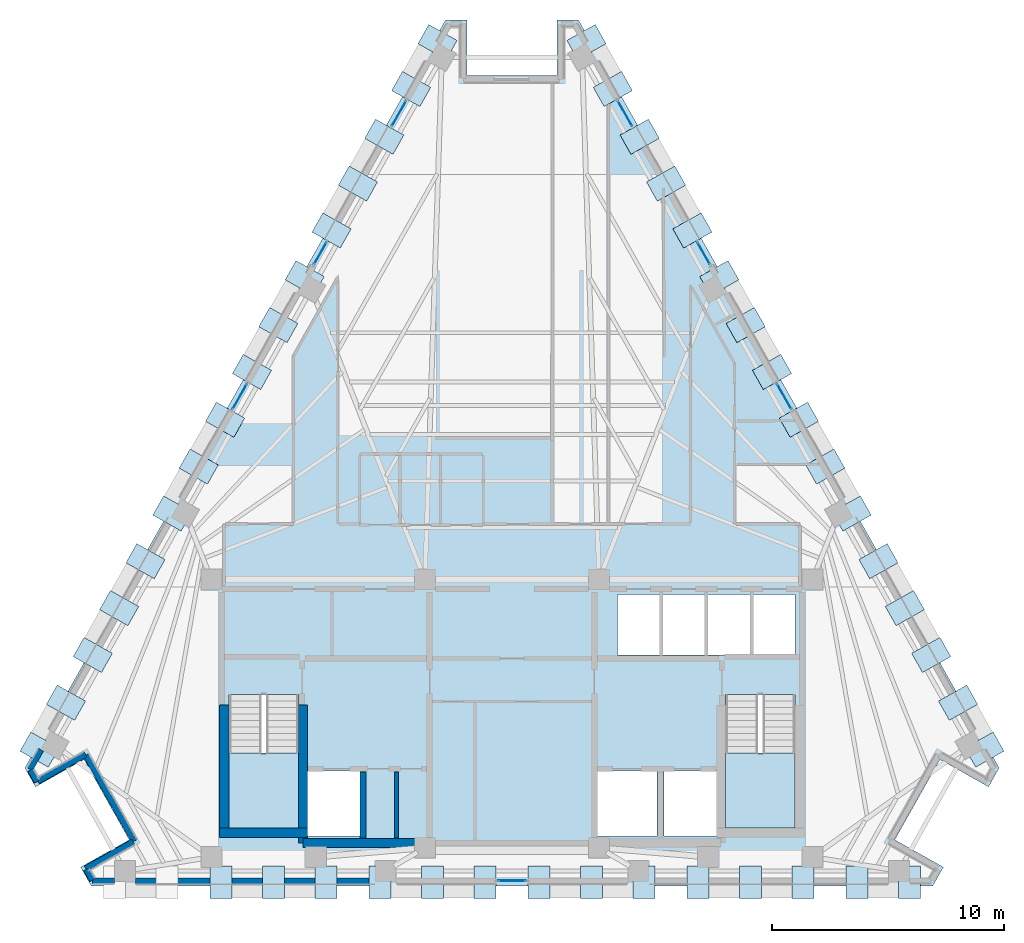
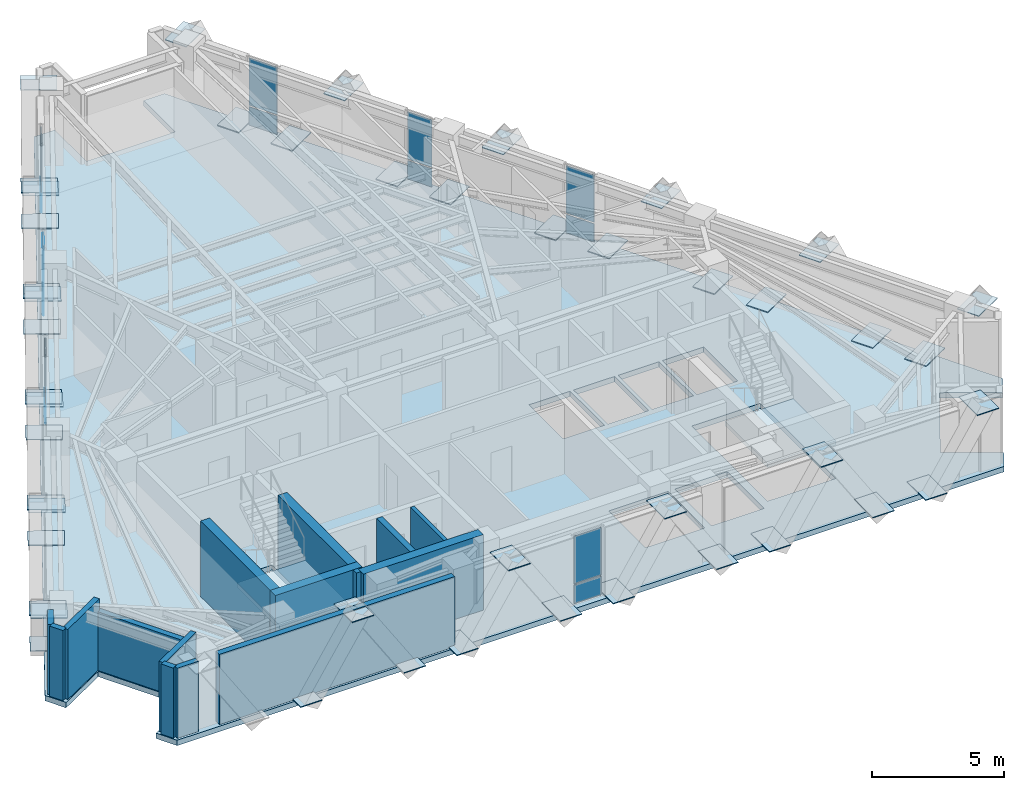
# One storey, part 6 of 13: 60 plates, 14 walls, 3 slabs, 9 elements without a shape of their own.
"""IFC4 building model written with IfcOpenShell, lengths in metres."""

from ifc_helpers import new_model, si_unit, direction, frame, frame_2d, origin, origin_2d, place, context, subcontext, project, spatial, polyline, rectangle, outline, extrude, material, layer, layer_set, type_object, element, aggregate, save


model = new_model("IFC4")

# Units and contexts
model_context = context("Model", 3, precision=1e-05, world=origin(), true_north=direction((0.0, 1.0)))
body_context = subcontext(model_context, "Body", "Model", "MODEL_VIEW")
ifc_project = project(units=[si_unit("LENGTHUNIT", "METRE"), si_unit("AREAUNIT", "SQUARE_METRE"), si_unit("VOLUMEUNIT", "CUBIC_METRE"), si_unit("PLANEANGLEUNIT", "RADIAN"), si_unit("MASSUNIT", "GRAM", prefix="KILO")], contexts=[model_context])

# Site, building, storey
site_placement = place(None, origin())
site = spatial("IfcSite", under=ifc_project, at=site_placement, CompositionType="ELEMENT")
building_placement = place(site_placement, origin())
building = spatial("IfcBuilding", under=site, at=building_placement, Name="Quenlor Broadcast Tower", CompositionType="ELEMENT")
storey_placement = place(building_placement, frame((0.0, 0.0, 207.89990234375)))
storey = spatial("IfcBuildingStorey", under=building, at=storey_placement, Name="L57", CompositionType="ELEMENT", Elevation=207.89990234375)

# Curtain wall, plates
ifc_material_1 = material(Name="Architectural Terracotta and Low-E Glazing", Category="masonry")
curtain_wall_type = type_object("IfcCurtainWallType", Name="Unitised Terracotta Curtain Wall System Z4", PredefinedType="NOTDEFINED", material=ifc_material_1)
curtain_wall_1_placement = place(storey_placement, origin())
curtain_wall_1 = element("IfcCurtainWall", 1, at=curtain_wall_1_placement, inside=storey, type_object=curtain_wall_type, Name="L57 Curtain Wall CW4 (L57-S-G1)", PredefinedType="NOTDEFINED")
ifc_material_2 = material(Name="Double Glazed Low-E Solar Glass", Category="glass")
ifc_layer_1 = layer(ifc_material_2, 0.028076171875)
ifc_layer_set_1 = layer_set([ifc_layer_1], Name="CW4 Double Glazed Vision Panel 28")
plate_type_1 = type_object("IfcPlateType", Name="CW4 Double Glazed Vision Panel 28", PredefinedType="CURTAIN_PANEL", material=ifc_layer_set_1)
plate_1_placement = place(storey_placement, frame((0.0, -17.77490234375, 0.068359375), z_axis=(0.0, 0.0, 1.0), x_axis=(-1.0, 0.0, 0.0)))
plate_1 = element("IfcPlate", 2, at=plate_1_placement, type_object=plate_type_1, Name="CW4 panel 1.1", PredefinedType="CURTAIN_PANEL", context=body_context, shape_type="SweptSolid", body=[
    extrude(rectangle(XDim=1.188720703125, YDim=0.028076171875, at=origin_2d()), origin(), (0.0, 0.0, 1.0), 0.847900390625),
])
plate_2_placement = place(storey_placement, frame((0.0, -17.77490234375, 0.98388671875), z_axis=(0.0, 0.0, 1.0), x_axis=(-1.0, 0.0, 0.0)))
plate_2 = element("IfcPlate", 3, at=plate_2_placement, type_object=plate_type_1, Name="CW4 panel 1.2", PredefinedType="CURTAIN_PANEL", context=body_context, shape_type="SweptSolid", body=[
    extrude(rectangle(XDim=1.188720703125, YDim=0.028076171875, at=origin_2d()), origin(), (0.0, 0.0, 1.0), 2.197998046875),
])
aggregate(curtain_wall_1, [plate_1, plate_2])

curtain_wall_2_placement = place(storey_placement, origin())
curtain_wall_2 = element("IfcCurtainWall", 4, at=curtain_wall_2_placement, inside=storey, type_object=curtain_wall_type, Name="L57 Curtain Wall CW4 (L57-NEA-G1)", PredefinedType="NOTDEFINED")
plate_3_placement = place(storey_placement, frame((4.87060546875, 15.281982421875, 0.068359375), z_axis=(0.0, 0.0, 1.0), x_axis=(0.490288844266, -0.871560008943, 0.0)))
plate_3 = element("IfcPlate", 5, at=plate_3_placement, type_object=plate_type_1, Name="CW4 panel 1.1", PredefinedType="CURTAIN_PANEL", context=body_context, shape_type="SweptSolid", body=[
    extrude(rectangle(XDim=1.239990234375, YDim=0.028076171875, at=origin_2d()), origin(), (0.0, 0.0, 1.0), 0.847900390625),
])
plate_4_placement = place(storey_placement, frame((4.87060546875, 15.281982421875, 0.98388671875), z_axis=(0.0, 0.0, 1.0), x_axis=(0.490288844266, -0.871560008943, 0.0)))
plate_4 = element("IfcPlate", 6, at=plate_4_placement, type_object=plate_type_1, Name="CW4 panel 1.2", PredefinedType="CURTAIN_PANEL", context=body_context, shape_type="SweptSolid", body=[
    extrude(rectangle(XDim=1.239990234375, YDim=0.028076171875, at=origin_2d()), origin(), (0.0, 0.0, 1.0), 2.197998046875),
])
aggregate(curtain_wall_2, [plate_3, plate_4])

curtain_wall_3_placement = place(storey_placement, origin())
curtain_wall_3 = element("IfcCurtainWall", 7, at=curtain_wall_3_placement, inside=storey, type_object=curtain_wall_type, Name="L57 Curtain Wall CW4 (L57-NEA-G2)", PredefinedType="NOTDEFINED")
plate_5_placement = place(storey_placement, frame((8.257080078125, 9.26171875, 0.068359375), z_axis=(0.0, 0.0, 1.0), x_axis=(0.490292850918, -0.871557755022, 0.0)))
plate_5 = element("IfcPlate", 8, at=plate_5_placement, type_object=plate_type_1, Name="CW4 panel 1.1", PredefinedType="CURTAIN_PANEL", context=body_context, shape_type="SweptSolid", body=[
    extrude(rectangle(XDim=1.0654296875, YDim=0.028076171875, at=origin_2d()), origin(), (0.0, 0.0, 1.0), 0.847900390625),
])
plate_6_placement = place(storey_placement, frame((8.257080078125, 9.26171875, 0.98388671875), z_axis=(0.0, 0.0, 1.0), x_axis=(0.490292850918, -0.871557755022, 0.0)))
plate_6 = element("IfcPlate", 9, at=plate_6_placement, type_object=plate_type_1, Name="CW4 panel 1.2", PredefinedType="CURTAIN_PANEL", context=body_context, shape_type="SweptSolid", body=[
    extrude(rectangle(XDim=1.0654296875, YDim=0.028076171875, at=origin_2d()), origin(), (0.0, 0.0, 1.0), 2.197998046875),
])
aggregate(curtain_wall_3, [plate_5, plate_6])

curtain_wall_4_placement = place(storey_placement, origin())
curtain_wall_4 = element("IfcCurtainWall", 10, at=curtain_wall_4_placement, inside=storey, type_object=curtain_wall_type, Name="L57 Curtain Wall CW4 (L57-NE-G1)", PredefinedType="NOTDEFINED")
plate_7_placement = place(storey_placement, frame((11.72900390625, 3.089599609375, 0.068359375), z_axis=(0.0, 0.0, 1.0), x_axis=(0.490288844266, -0.871560008943, 0.0)))
plate_7 = element("IfcPlate", 11, at=plate_7_placement, type_object=plate_type_1, Name="CW4 panel 1.1", PredefinedType="CURTAIN_PANEL", context=body_context, shape_type="SweptSolid", body=[
    extrude(rectangle(XDim=1.239990234375, YDim=0.028076171875, at=origin_2d()), origin(), (0.0, 0.0, 1.0), 0.847900390625),
])
plate_8_placement = place(storey_placement, frame((11.72900390625, 3.089599609375, 0.98388671875), z_axis=(0.0, 0.0, 1.0), x_axis=(0.490288844266, -0.871560008943, 0.0)))
plate_8 = element("IfcPlate", 12, at=plate_8_placement, type_object=plate_type_1, Name="CW4 panel 1.2", PredefinedType="CURTAIN_PANEL", context=body_context, shape_type="SweptSolid", body=[
    extrude(rectangle(XDim=1.239990234375, YDim=0.028076171875, at=origin_2d()), origin(), (0.0, 0.0, 1.0), 2.197998046875),
])
aggregate(curtain_wall_4, [plate_7, plate_8])

curtain_wall_5_placement = place(storey_placement, origin())
curtain_wall_5 = element("IfcCurtainWall", 13, at=curtain_wall_5_placement, inside=storey, type_object=curtain_wall_type, Name="L57 Curtain Wall CW4 (L57-NWC-G1)", PredefinedType="NOTDEFINED")
plate_9_placement = place(storey_placement, frame((-8.257080078125, 9.26171875, 0.068359375), z_axis=(0.0, 0.0, 1.0), x_axis=(0.490292850918, 0.871557755022, 0.0)))
plate_9 = element("IfcPlate", 14, at=plate_9_placement, type_object=plate_type_1, Name="CW4 panel 1.1", PredefinedType="CURTAIN_PANEL", context=body_context, shape_type="SweptSolid", body=[
    extrude(rectangle(XDim=1.0654296875, YDim=0.028076171875, at=origin_2d()), origin(), (0.0, 0.0, 1.0), 0.847900390625),
])
plate_10_placement = place(storey_placement, frame((-8.257080078125, 9.26171875, 0.98388671875), z_axis=(0.0, 0.0, 1.0), x_axis=(0.490292850918, 0.871557755022, 0.0)))
plate_10 = element("IfcPlate", 15, at=plate_10_placement, type_object=plate_type_1, Name="CW4 panel 1.2", PredefinedType="CURTAIN_PANEL", context=body_context, shape_type="SweptSolid", body=[
    extrude(rectangle(XDim=1.0654296875, YDim=0.028076171875, at=origin_2d()), origin(), (0.0, 0.0, 1.0), 2.197998046875),
])
aggregate(curtain_wall_5, [plate_9, plate_10])

curtain_wall_6_placement = place(storey_placement, origin())
curtain_wall_6 = element("IfcCurtainWall", 16, at=curtain_wall_6_placement, inside=storey, type_object=curtain_wall_type, Name="L57 Curtain Wall CW4 (L57-NWC-G2)", PredefinedType="NOTDEFINED")
plate_11_placement = place(storey_placement, frame((-4.87060546875, 15.281982421875, 0.068359375), z_axis=(0.0, 0.0, 1.0), x_axis=(0.490288844266, 0.871560008943, 0.0)))
plate_11 = element("IfcPlate", 17, at=plate_11_placement, type_object=plate_type_1, Name="CW4 panel 1.1", PredefinedType="CURTAIN_PANEL", context=body_context, shape_type="SweptSolid", body=[
    extrude(rectangle(XDim=1.239990234375, YDim=0.028076171875, at=origin_2d()), origin(), (0.0, 0.0, 1.0), 0.847900390625),
])
plate_12_placement = place(storey_placement, frame((-4.87060546875, 15.281982421875, 0.98388671875), z_axis=(0.0, 0.0, 1.0), x_axis=(0.490288844266, 0.871560008943, 0.0)))
plate_12 = element("IfcPlate", 18, at=plate_12_placement, type_object=plate_type_1, Name="CW4 panel 1.2", PredefinedType="CURTAIN_PANEL", context=body_context, shape_type="SweptSolid", body=[
    extrude(rectangle(XDim=1.239990234375, YDim=0.028076171875, at=origin_2d()), origin(), (0.0, 0.0, 1.0), 2.197998046875),
])
aggregate(curtain_wall_6, [plate_11, plate_12])

curtain_wall_7_placement = place(storey_placement, origin())
curtain_wall_7 = element("IfcCurtainWall", 19, at=curtain_wall_7_placement, inside=storey, type_object=curtain_wall_type, Name="L57 Curtain Wall CW4 (L57-NW-G1)", PredefinedType="NOTDEFINED")
plate_13_placement = place(storey_placement, frame((-11.72900390625, 3.089599609375, 0.068359375), z_axis=(0.0, 0.0, 1.0), x_axis=(0.490288844266, 0.871560008943, 0.0)))
plate_13 = element("IfcPlate", 20, at=plate_13_placement, type_object=plate_type_1, Name="CW4 panel 1.1", PredefinedType="CURTAIN_PANEL", context=body_context, shape_type="SweptSolid", body=[
    extrude(rectangle(XDim=1.239990234375, YDim=0.028076171875, at=origin_2d()), origin(), (0.0, 0.0, 1.0), 0.847900390625),
])
plate_14_placement = place(storey_placement, frame((-11.72900390625, 3.089599609375, 0.98388671875), z_axis=(0.0, 0.0, 1.0), x_axis=(0.490288844266, 0.871560008943, 0.0)))
plate_14 = element("IfcPlate", 21, at=plate_14_placement, type_object=plate_type_1, Name="CW4 panel 1.2", PredefinedType="CURTAIN_PANEL", context=body_context, shape_type="SweptSolid", body=[
    extrude(rectangle(XDim=1.239990234375, YDim=0.028076171875, at=origin_2d()), origin(), (0.0, 0.0, 1.0), 2.197998046875),
])
aggregate(curtain_wall_7, [plate_13, plate_14])

# Stair, slab
ifc_material_3 = material(Name="Precast concrete C40/50", Category="concrete")
stair_type = type_object("IfcStairType", Name="Precast Concrete C40/50 Dogleg Stair H350", PredefinedType="HALF_TURN_STAIR", material=ifc_material_3)
stair_1_placement = place(storey_placement, origin())
stair_1 = element("IfcStair", 22, at=stair_1_placement, inside=storey, type_object=stair_type, Name="L57 West Core Fire-Isolated Exit Stair ST-1", PredefinedType="HALF_TURN_STAIR")
ifc_material_4 = material(Name="Precast concrete C40/50", Category="concrete")
ifc_layer_2 = layer(ifc_material_4, 0.199951171875)
ifc_layer_set_2 = layer_set([ifc_layer_2], Name="Precast Concrete C40/50 Stair Landing Slab 200")
slab_type_1 = type_object("IfcSlabType", Name="Precast Concrete C40/50 Stair Landing Slab 200", PredefinedType="LANDING", material=ifc_layer_set_2)
slab_1_placement = place(storey_placement, frame((0.0, 0.0, 1.550048828125)))
slab_1 = element("IfcSlab", 23, at=slab_1_placement, type_object=slab_type_1, Name="ST-1 landing 1", PredefinedType="LANDING", context=body_context, shape_type="SweptSolid", body=[
    extrude(outline(polyline([(-12.199951171875, -12.27001953125), (-12.199951171875, -15.5), (-9.199951171875, -15.5), (-9.199951171875, -12.27001953125), (-12.199951171875, -12.27001953125)])), origin(), (0.0, 0.0, 1.0), 0.199951171875),
])
aggregate(stair_1, [slab_1])

stair_2_placement = place(storey_placement, origin())
stair_2 = element("IfcStair", 24, at=stair_2_placement, inside=storey, type_object=stair_type, Name="L57 East Core Fire-Isolated Exit Stair ST-2", PredefinedType="HALF_TURN_STAIR")
slab_2_placement = place(storey_placement, frame((0.0, 0.0, 1.550048828125)))
slab_2 = element("IfcSlab", 25, at=slab_2_placement, type_object=slab_type_1, Name="ST-2 landing 1", PredefinedType="LANDING", context=body_context, shape_type="SweptSolid", body=[
    extrude(outline(polyline([(9.199951171875, -12.27001953125), (9.199951171875, -15.5), (12.199951171875, -15.5), (12.199951171875, -12.27001953125), (9.199951171875, -12.27001953125)])), origin(), (0.0, 0.0, 1.0), 0.199951171875),
])
aggregate(stair_2, [slab_2])

# Slab
ifc_material_5 = material(Name="Concrete C40/50", Category="concrete")
ifc_layer_3 = layer(ifc_material_5, 0.25)
ifc_layer_set_3 = layer_set([ifc_layer_3], Name="Tower Composite Concrete C40/50 Slab 250")
slab_type_2 = type_object("IfcSlabType", Name="Tower Composite Concrete C40/50 Slab 250", PredefinedType="FLOOR", material=ifc_layer_set_3)
slab_3_placement = place(storey_placement, frame((0.0, 0.0, -0.25)))
element("IfcSlab", 26, at=slab_3_placement, inside=storey, type_object=slab_type_2, Name="L57 Structural Floor Slab", PredefinedType="FLOOR", context=body_context, shape_type="SweptSolid", body=[
    extrude(outline(polyline([(18.1259765625, -18.0), (18.583984375, -17.185791015625), (16.4921875, -16.00927734375), (18.438232421875, -12.549560546875), (20.530029296875, -13.72607421875), (20.988037109375, -12.912109375), (2.862060546875, 19.31201171875), (1.9462890625, 19.31201171875), (1.9462890625, 16.912109375), (-1.9462890625, 16.912109375), (-1.9462890625, 19.31201171875), (-2.862060546875, 19.31201171875), (-20.988037109375, -12.912109375), (-20.530029296875, -13.72607421875), (-18.438232421875, -12.549560546875), (-16.4921875, -16.00927734375), (-18.583984375, -17.185791015625), (-18.1259765625, -18.0), (18.1259765625, -18.0)]), holes=[polyline([(-12.199951171875, -9.758056640625), (-12.199951171875, -15.5), (-9.199951171875, -15.5), (-9.199951171875, -9.758056640625), (-12.199951171875, -9.758056640625)]), polyline([(9.199951171875, -9.758056640625), (9.199951171875, -15.5), (12.199951171875, -15.5), (12.199951171875, -9.758056640625), (9.199951171875, -9.758056640625)]), polyline([(4.550048828125, -8.050048828125), (6.35009765625, -8.050048828125), (6.35009765625, -5.449951171875), (4.550048828125, -5.449951171875), (4.550048828125, -8.050048828125)]), polyline([(6.5, -8.050048828125), (8.300048828125, -8.050048828125), (8.300048828125, -5.449951171875), (6.5, -5.449951171875), (6.5, -8.050048828125)]), polyline([(8.449951171875, -8.050048828125), (10.25, -8.050048828125), (10.25, -5.449951171875), (8.449951171875, -5.449951171875), (8.449951171875, -8.050048828125)]), polyline([(10.39990234375, -8.050048828125), (12.199951171875, -8.050048828125), (12.199951171875, -5.449951171875), (10.39990234375, -5.449951171875), (10.39990234375, -8.050048828125)]), polyline([(-8.85009765625, -15.85009765625), (-6.550048828125, -15.85009765625), (-6.550048828125, -13.050048828125), (-8.85009765625, -13.050048828125), (-8.85009765625, -15.85009765625)]), polyline([(6.550048828125, -15.85009765625), (8.85009765625, -15.85009765625), (8.85009765625, -13.050048828125), (6.550048828125, -13.050048828125), (6.550048828125, -15.85009765625)]), polyline([(3.64990234375, -15.85009765625), (6.25, -15.85009765625), (6.25, -13.050048828125), (3.64990234375, -13.050048828125), (3.64990234375, -15.85009765625)])]), origin(), (0.0, 0.0, 1.0), 0.25),
])

# Plates
ifc_material_6 = material(Name="Steel S355", Category="steel")
ifc_layer_4 = layer(ifc_material_6, 0.035888671875)
ifc_layer_set_4 = layer_set([ifc_layer_4], Name="Transfer Truss Steel S355 Gusset Node Plate 1400x950x36")
plate_type_2 = type_object("IfcPlateType", Name="Transfer Truss Steel S355 Gusset Node Plate 1400x950x36", PredefinedType="SHEET", material=ifc_layer_set_4)
for number, where, z_axis, x_axis, name in (
    (27, (12.54541015625, -17.8349609375, 0.0419921875), (0.0, 0.0, 1.0), (0.0, -1.0, 0.0), "L57 Lattice Tie Gusset Node S-B2"),
    (28, (10.275634765625, -17.8349609375, 3.18212890625), (0.0, 0.0, 1.0), (0.0, -1.0, 0.0), "L57 Lattice Tie Gusset Node S-T3"),
    (29, (14.856201171875, -17.8349609375, 0.0419921875), (0.0, 0.0, 1.0), (0.0, -1.0, 0.0), "L57 Lattice Tie Gusset Node S-B1"),
    (30, (17.1259765625, -17.8349609375, 3.18212890625), (0.0, 0.0, 1.0), (0.0, -1.0, 0.0), "L57 Lattice Tie Gusset Node S-T0"),
    (31, (5.695068359375, -17.8349609375, 0.0419921875), (0.0, 0.0, 1.0), (0.0, -1.0, 0.0), "L57 Lattice Tie Gusset Node S-B5"),
    (32, (3.42529296875, -17.8349609375, 3.18212890625), (0.0, 0.0, 1.0), (0.0, -1.0, 0.0), "L57 Lattice Tie Gusset Node S-T6"),
    (33, (8.005859375, -17.8349609375, 0.0419921875), (0.0, 0.0, 1.0), (0.0, -1.0, 0.0), "L57 Lattice Tie Gusset Node S-B4"),
    (34, (-1.155517578125, -17.8349609375, 0.0419921875), (0.0, 0.0, 1.0), (0.0, -1.0, 0.0), "L57 Lattice Tie Gusset Node S-B8"),
    (35, (-3.42529296875, -17.8349609375, 3.18212890625), (0.0, 0.0, 1.0), (0.0, -1.0, 0.0), "L57 Lattice Tie Gusset Node S-T9"),
    (36, (1.155517578125, -17.8349609375, 0.0419921875), (0.0, 0.0, 1.0), (0.0, -1.0, 0.0), "L57 Lattice Tie Gusset Node S-B7"),
    (37, (-8.005859375, -17.8349609375, 0.0419921875), (0.0, 0.0, 1.0), (0.0, -1.0, 0.0), "L57 Lattice Tie Gusset Node S-B11"),
    (38, (-10.275634765625, -17.8349609375, 3.18212890625), (0.0, 0.0, 1.0), (0.0, -1.0, 0.0), "L57 Lattice Tie Gusset Node S-T12"),
    (39, (-5.695068359375, -17.8349609375, 0.0419921875), (0.0, 0.0, 1.0), (0.0, -1.0, 0.0), "L57 Lattice Tie Gusset Node S-B10"),
    (40, (-12.54541015625, -17.8349609375, 0.0419921875), (0.0, 0.0, 1.0), (0.0, -1.0, 0.0), "L57 Lattice Tie Gusset Node S-B13"),
    (41, (5.50146484375, 14.283203125, 0.0419921875), (0.0, 0.0, 1.0), (0.871556314255, 0.490295412055, 0.0), "L57 Lattice Tie Gusset Node NE-B2"),
    (42, (6.6376953125, 12.263427734375, 3.18212890625), (0.0, 0.0, 1.0), (0.871556314255, 0.490295412055, 0.0), "L57 Lattice Tie Gusset Node NE-T3"),
    (43, (4.344482421875, 16.339599609375, 0.0419921875), (0.0, 0.0, 1.0), (0.871556314255, 0.490295412055, 0.0), "L57 Lattice Tie Gusset Node NE-B1"),
    (44, (3.20849609375, 18.359619140625, 3.18212890625), (0.0, 0.0, 1.0), (0.871556314255, 0.490295412055, 0.0), "L57 Lattice Tie Gusset Node NE-T0"),
    (45, (8.930419921875, 8.18701171875, 0.0419921875), (0.0, 0.0, 1.0), (0.871556314255, 0.490295412055, 0.0), "L57 Lattice Tie Gusset Node NE-B5"),
    (46, (10.066650390625, 6.167236328125, 3.18212890625), (0.0, 0.0, 1.0), (0.871556314255, 0.490295412055, 0.0), "L57 Lattice Tie Gusset Node NE-T6"),
    (47, (7.773681640625, 10.243408203125, 0.0419921875), (0.0, 0.0, 1.0), (0.871556314255, 0.490295412055, 0.0), "L57 Lattice Tie Gusset Node NE-B4"),
    (48, (12.359619140625, 2.0908203125, 0.0419921875), (0.0, 0.0, 1.0), (0.871556314255, 0.490295412055, 0.0), "L57 Lattice Tie Gusset Node NE-B8"),
    (49, (13.49560546875, 0.071044921875, 3.18212890625), (0.0, 0.0, 1.0), (0.871556314255, 0.490295412055, 0.0), "L57 Lattice Tie Gusset Node NE-T9"),
    (50, (11.202880859375, 4.147216796875, 0.0419921875), (0.0, 0.0, 1.0), (0.871556314255, 0.490295412055, 0.0), "L57 Lattice Tie Gusset Node NE-B7"),
    (51, (15.788818359375, -4.00537109375, 0.0419921875), (0.0, 0.0, 1.0), (0.871556314255, 0.490295412055, 0.0), "L57 Lattice Tie Gusset Node NE-B11"),
    (52, (16.9248046875, -6.025146484375, 3.18212890625), (0.0, 0.0, 1.0), (0.871556314255, 0.490295412055, 0.0), "L57 Lattice Tie Gusset Node NE-T12"),
    (53, (14.6318359375, -1.94873046875, 0.0419921875), (0.0, 0.0, 1.0), (0.871556314255, 0.490295412055, 0.0), "L57 Lattice Tie Gusset Node NE-B10"),
    (54, (19.2177734375, -10.101318359375, 0.0419921875), (0.0, 0.0, 1.0), (0.871556314255, 0.490295412055, 0.0), "L57 Lattice Tie Gusset Node NE-B14"),
    (55, (20.35400390625, -12.121337890625, 3.18212890625), (0.0, 0.0, 1.0), (0.871556314255, 0.490295412055, 0.0), "L57 Lattice Tie Gusset Node NE-T15"),
    (56, (18.06103515625, -8.044921875, 0.0419921875), (0.0, 0.0, 1.0), (0.871556314255, 0.490295412055, 0.0), "L57 Lattice Tie Gusset Node NE-B13"),
    (57, (-18.06103515625, -8.044921875, 0.0419921875), (0.0, 0.0, 1.0), (-0.871556314255, 0.490295412055, 0.0), "L57 Lattice Tie Gusset Node NW-B2"),
    (58, (-16.9248046875, -6.025146484375, 3.18212890625), (0.0, 0.0, 1.0), (-0.871556314255, 0.490295412055, 0.0), "L57 Lattice Tie Gusset Node NW-T3"),
    (59, (-19.2177734375, -10.101318359375, 0.0419921875), (0.0, 0.0, 1.0), (-0.871556314255, 0.490295412055, 0.0), "L57 Lattice Tie Gusset Node NW-B1"),
    (60, (-20.35400390625, -12.121337890625, 3.18212890625), (0.0, 0.0, 1.0), (-0.871556314255, 0.490295412055, 0.0), "L57 Lattice Tie Gusset Node NW-T0"),
    (61, (-14.6318359375, -1.94873046875, 0.0419921875), (0.0, 0.0, 1.0), (-0.871556314255, 0.490295412055, 0.0), "L57 Lattice Tie Gusset Node NW-B5"),
    (62, (-13.49560546875, 0.071044921875, 3.18212890625), (0.0, 0.0, 1.0), (-0.871556314255, 0.490295412055, 0.0), "L57 Lattice Tie Gusset Node NW-T6"),
    (63, (-15.788818359375, -4.00537109375, 0.0419921875), (0.0, 0.0, 1.0), (-0.871556314255, 0.490295412055, 0.0), "L57 Lattice Tie Gusset Node NW-B4"),
    (64, (-11.202880859375, 4.147216796875, 0.0419921875), (0.0, 0.0, 1.0), (-0.871556314255, 0.490295412055, 0.0), "L57 Lattice Tie Gusset Node NW-B8"),
    (65, (-10.066650390625, 6.167236328125, 3.18212890625), (0.0, 0.0, 1.0), (-0.871556314255, 0.490295412055, 0.0), "L57 Lattice Tie Gusset Node NW-T9"),
    (66, (-12.359619140625, 2.0908203125, 0.0419921875), (0.0, 0.0, 1.0), (-0.871556314255, 0.490295412055, 0.0), "L57 Lattice Tie Gusset Node NW-B7"),
    (67, (-7.773681640625, 10.243408203125, 0.0419921875), (0.0, 0.0, 1.0), (-0.871556314255, 0.490295412055, 0.0), "L57 Lattice Tie Gusset Node NW-B11"),
    (68, (-6.6376953125, 12.263427734375, 3.18212890625), (0.0, 0.0, 1.0), (-0.871556314255, 0.490295412055, 0.0), "L57 Lattice Tie Gusset Node NW-T12"),
    (69, (-8.930419921875, 8.18701171875, 0.0419921875), (0.0, 0.0, 1.0), (-0.871556314255, 0.490295412055, 0.0), "L57 Lattice Tie Gusset Node NW-B10"),
    (70, (-4.344482421875, 16.339599609375, 0.0419921875), (0.0, 0.0, 1.0), (-0.871556314255, 0.490295412055, 0.0), "L57 Lattice Tie Gusset Node NW-B14"),
    (71, (-3.20849609375, 18.359619140625, 3.18212890625), (0.0, 0.0, 1.0), (-0.871556314255, 0.490295412055, 0.0), "L57 Lattice Tie Gusset Node NW-T15"),
    (72, (-5.50146484375, 14.283203125, 0.0419921875), (0.0, 0.0, 1.0), (-0.871556314255, 0.490295412055, 0.0), "L57 Lattice Tie Gusset Node NW-B13"),
):
    element("IfcPlate", number, at=place(storey_placement, frame(where, z_axis=z_axis, x_axis=x_axis)), inside=storey, type_object=plate_type_2, Name=name, PredefinedType="SHEET", context=body_context, shape_type="SweptSolid", body=[
        extrude(rectangle(XDim=1.39990234375, YDim=0.949951171875, at=origin_2d()), origin(), (0.0, 0.0, 1.0), 0.035888671875),
    ])

# Walls
ifc_material_7 = material(Name="Concrete C50/60", Category="concrete")
ifc_layer_5 = layer(ifc_material_7, 0.39990234375)
ifc_layer_set_5 = layer_set([ifc_layer_5], Name="Core Concrete C50/60 Shear Wall 400")
wall_type_1 = type_object("IfcWallType", Name="Core Concrete C50/60 Shear Wall 400", PredefinedType="SHEAR", material=ifc_layer_set_5)
wall_1_placement = place(storey_placement, frame((-12.60009765625, -15.699951171875, 0.0), z_axis=(0.0, 0.0, 1.0), x_axis=(1.0, 0.0, 0.0)))
element("IfcWall", 73, at=wall_1_placement, inside=storey, type_object=wall_type_1, Name="L57 Core Shear Wall WS-W1", PredefinedType="SHEAR", context=body_context, shape_type="SweptSolid", body=[
    extrude(rectangle(XDim=3.800048828125, YDim=0.39990234375, at=frame_2d((1.89990234375, 0.0))), origin(), (0.0, 0.0, 1.0), 3.5),
])
wall_2_placement = place(storey_placement, frame((-9.0, -16.14990234375, 0.0), z_axis=(0.0, 0.0, 1.0), x_axis=(1.0, 0.0, 0.0)))
element("IfcWall", 74, at=wall_2_placement, inside=storey, type_object=wall_type_1, Name="L57 Core Shear Wall WS-W2", PredefinedType="SHEAR", context=body_context, shape_type="SweptSolid", body=[
    extrude(rectangle(XDim=5.25, YDim=0.39990234375, at=frame_2d((2.625, 0.0))), origin(), (0.0, 0.0, 1.0), 3.5),
])
wall_3_placement = place(storey_placement, frame((-12.39990234375, -15.699951171875, 0.0), z_axis=(0.0, 0.0, 1.0), x_axis=(0.0, 1.0, 0.0)))
element("IfcWall", 75, at=wall_3_placement, inside=storey, type_object=wall_type_1, Name="L57 Core Shear Wall WF-W", PredefinedType="SHEAR", context=body_context, shape_type="SweptSolid", body=[
    extrude(rectangle(XDim=5.5, YDim=0.39990234375, at=frame_2d((2.75, 0.0))), origin(), (0.0, 0.0, 1.0), 3.5),
])
wall_4_placement = place(storey_placement, frame((-9.0, -16.14990234375, 0.0), z_axis=(0.0, 0.0, 1.0), x_axis=(0.0, 1.0, 0.0)))
element("IfcWall", 76, at=wall_4_placement, inside=storey, type_object=wall_type_1, Name="L57 Core Shear Wall WI-W", PredefinedType="SHEAR", context=body_context, shape_type="SweptSolid", body=[
    extrude(rectangle(XDim=5.949951171875, YDim=0.39990234375, at=frame_2d((2.97509765625, 0.0))), origin(), (0.0, 0.0, 1.0), 3.5),
])
ifc_material_8 = material(Name="Concrete C40/50", Category="concrete")
ifc_layer_6 = layer(ifc_material_8, 0.25)
ifc_layer_set_6 = layer_set([ifc_layer_6], Name="Fire Rated Concrete C40/50 Core Wall 250")
wall_type_2 = type_object("IfcWallType", Name="Fire Rated Concrete C40/50 Core Wall 250", PredefinedType="PARTITIONING", material=ifc_layer_set_6)
wall_5_placement = place(storey_placement, frame((-6.419921875, -15.919921875, 0.0), z_axis=(0.0, 0.0, 1.0), x_axis=(0.0, 1.0, 0.0)))
element("IfcWall", 77, at=wall_5_placement, inside=storey, type_object=wall_type_2, Name="L57 Interior Wall CW-FF1-E", PredefinedType="PARTITIONING", context=body_context, shape_type="SweptSolid", body=[
    extrude(rectangle(XDim=2.829833984375, YDim=0.25, at=frame_2d((1.4150390625, 0.0))), origin(), (0.0, 0.0, 1.0), 3.25),
])
ifc_material_9 = material(Name="Gypsum Fireboard Partition", Category="other")
ifc_layer_7 = layer(ifc_material_9, 0.159912109375)
ifc_layer_set_7 = layer_set([ifc_layer_7], Name="Fire Rated Shaft and Corridor Partition 160")
wall_type_3 = type_object("IfcWallType", Name="Fire Rated Shaft and Corridor Partition 160", PredefinedType="PARTITIONING", material=ifc_layer_set_7)
wall_6_placement = place(storey_placement, frame((-4.97998046875, -15.919921875, 0.0), z_axis=(0.0, 0.0, 1.0), x_axis=(0.0, 1.0, 0.0)))
element("IfcWall", 78, at=wall_6_placement, inside=storey, type_object=wall_type_3, Name="L57 Interior Wall CW-ELR-E", PredefinedType="PARTITIONING", context=body_context, shape_type="SweptSolid", body=[
    extrude(rectangle(XDim=2.829833984375, YDim=0.159912109375, at=frame_2d((1.4150390625, 0.0))), origin(), (0.0, 0.0, 1.0), 3.25),
])
ifc_material_10 = material(Name="Precast concrete C40/50", Category="concrete")
ifc_layer_8 = layer(ifc_material_10, 0.239990234375)
ifc_layer_set_8 = layer_set([ifc_layer_8], Name="Terrace Threshold Precast Concrete C40/50 Wall 240")
wall_type_4 = type_object("IfcWallType", Name="Terrace Threshold Precast Concrete C40/50 Wall 240", PredefinedType="STANDARD", material=ifc_layer_set_8)
wall_7_placement = place(storey_placement, frame((-17.130859375, -17.77490234375, 0.0), z_axis=(0.0, 0.0, 1.0), x_axis=(-1.0, 0.0, 0.0)))
element("IfcWall", 79, at=wall_7_placement, inside=storey, type_object=wall_type_4, Name="L57 Exterior Wall L57-SHD-SS1", PredefinedType="STANDARD", context=body_context, shape_type="SweptSolid", body=[
    extrude(rectangle(XDim=0.93505859375, YDim=0.239990234375, at=frame_2d((0.467529296875, 0.0))), origin(), (0.0, 0.0, 1.0), 3.25),
])
wall_8_placement = place(storey_placement, frame((-20.762451171875, -12.969970703125, 0.0), z_axis=(0.0, 0.0, 1.0), x_axis=(0.490345412687, 0.87152818443, 0.0)))
element("IfcWall", 80, at=wall_8_placement, inside=storey, type_object=wall_type_4, Name="L57 Exterior Wall L57-SHD-NWS0", PredefinedType="STANDARD", context=body_context, shape_type="SweptSolid", body=[
    extrude(rectangle(XDim=0.9638671875, YDim=0.239990234375, at=frame_2d((0.48193359375, 0.0))), origin(), (0.0, 0.0, 1.0), 3.25),
])
wall_9_placement = place(storey_placement, frame((-20.75537109375, -12.999267578125, 0.0), z_axis=(0.0, 0.0, 1.0), x_axis=(0.490320776404, -0.871542045014, 0.0)))
element("IfcWall", 81, at=wall_9_placement, inside=storey, type_object=wall_type_4, Name="L57 Exterior Wall L57-CNR-12", PredefinedType="STANDARD", context=body_context, shape_type="SweptSolid", body=[
    extrude(rectangle(XDim=0.583984375, YDim=0.239990234375, at=frame_2d((0.2919921875, 0.0))), origin(), (0.0, 0.0, 1.0), 3.25),
])
wall_10_placement = place(storey_placement, frame((-20.43408203125, -13.488525390625, 0.0), z_axis=(0.0, 0.0, 1.0), x_axis=(0.871578299909, 0.490256327984, 0.0)))
element("IfcWall", 82, at=wall_10_placement, inside=storey, type_object=wall_type_4, Name="L57 Exterior Wall L57-CNR-13", PredefinedType="STANDARD", context=body_context, shape_type="SweptSolid", body=[
    extrude(rectangle(XDim=2.35986328125, YDim=0.239990234375, at=frame_2d((1.179931640625, 0.0))), origin(), (0.0, 0.0, 1.0), 3.25),
])
wall_11_placement = place(storey_placement, frame((-18.357666015625, -12.366455078125, 0.0), z_axis=(0.0, 0.0, 1.0), x_axis=(0.49027487746, -0.871567865706, 0.0)))
element("IfcWall", 83, at=wall_11_placement, inside=storey, type_object=wall_type_4, Name="L57 Exterior Wall L57-CNR-14", PredefinedType="STANDARD", context=body_context, shape_type="SweptSolid", body=[
    extrude(rectangle(XDim=4.249755859375, YDim=0.239990234375, at=frame_2d((2.125, 0.0))), origin(), (0.0, 0.0, 1.0), 2.721923828125),
])
wall_12_placement = place(storey_placement, frame((-16.30908203125, -16.08984375, 0.0), z_axis=(0.0, 0.0, 1.0), x_axis=(-0.871578299909, -0.490256327984, 0.0)))
element("IfcWall", 84, at=wall_12_placement, inside=storey, type_object=wall_type_4, Name="L57 Exterior Wall L57-CNR-15", PredefinedType="STANDARD", context=body_context, shape_type="SweptSolid", body=[
    extrude(rectangle(XDim=2.35986328125, YDim=0.239990234375, at=frame_2d((1.179931640625, 0.0))), origin(), (0.0, 0.0, 1.0), 3.25),
])
wall_13_placement = place(storey_placement, frame((-18.346435546875, -17.28173828125, 0.0), z_axis=(0.0, 0.0, 1.0), x_axis=(0.49038986747, -0.87150317147, 0.0)))
element("IfcWall", 85, at=wall_13_placement, inside=storey, type_object=wall_type_4, Name="L57 Exterior Wall L57-CNR-16", PredefinedType="STANDARD", context=body_context, shape_type="SweptSolid", body=[
    extrude(rectangle(XDim=0.540771484375, YDim=0.239990234375, at=frame_2d((0.2705078125, 0.0))), origin(), (0.0, 0.0, 1.0), 3.25),
])
ifc_material_11 = material(Name="Precast concrete C40/50", Category="concrete")
ifc_layer_9 = layer(ifc_material_11, 0.260009765625)
ifc_layer_set_9 = layer_set([ifc_layer_9], Name="Terracotta Precast Concrete C40/50 Upper Wall 260")
wall_type_5 = type_object("IfcWallType", Name="Terracotta Precast Concrete C40/50 Upper Wall 260", PredefinedType="STANDARD", material=ifc_layer_set_9)
wall_14_placement = place(storey_placement, frame((-5.892822265625, -17.77490234375, 0.0), z_axis=(0.0, 0.0, 1.0), x_axis=(-1.0, 0.0, 0.0)))
element("IfcWall", 86, at=wall_14_placement, inside=storey, type_object=wall_type_5, Name="L57 Exterior Wall L57-EW-SC", PredefinedType="STANDARD", context=body_context, shape_type="SweptSolid", body=[
    extrude(rectangle(XDim=10.328125, YDim=0.260009765625, at=frame_2d((5.1640625, 0.0))), origin(), (0.0, 0.0, 1.0), 3.25),
])

save(model, "model.ifc")
